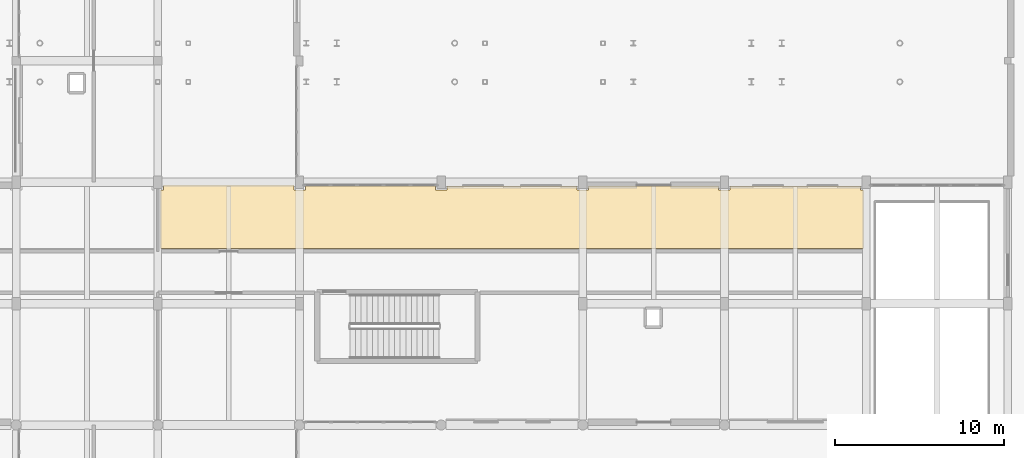
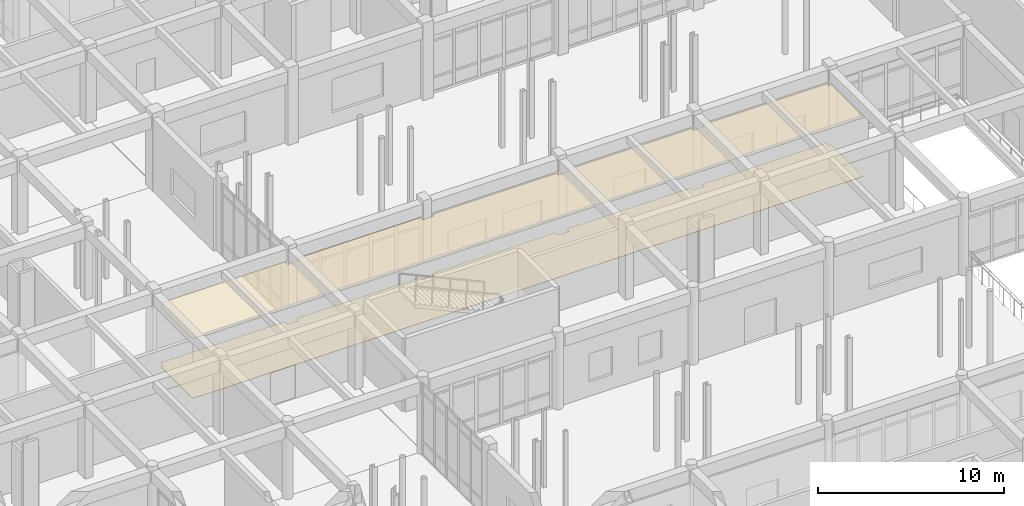
# One storey, part 107 of 121: 2 coverings.
"""IFC4 building model written with IfcOpenShell, lengths in metres."""

from ifc_helpers import new_model, si_unit, direction, frame, origin, place, context, subcontext, project, spatial, polyline, outline, extrude, material, layer, layer_set, type_object, element, save


model = new_model("IFC4")

# Units and contexts
model_context = context("Model", 3, precision=1e-05, world=origin(), true_north=direction((0.0, 1.0)))
body_context = subcontext(model_context, "Body", "Model", "MODEL_VIEW")
ifc_project = project(units=[si_unit("LENGTHUNIT", "METRE"), si_unit("AREAUNIT", "SQUARE_METRE"), si_unit("VOLUMEUNIT", "CUBIC_METRE"), si_unit("PLANEANGLEUNIT", "RADIAN"), si_unit("MASSUNIT", "GRAM", prefix="KILO")], contexts=[model_context])

# Site, building, storey
site_placement = place(None, origin())
site = spatial("IfcSite", under=ifc_project, at=site_placement, CompositionType="ELEMENT")
building_placement = place(site_placement, origin())
building = spatial("IfcBuilding", under=site, at=building_placement, Name="Malvenik Polytechnic", CompositionType="ELEMENT")
storey_placement = place(building_placement, origin())
storey = spatial("IfcBuildingStorey", under=building, at=storey_placement, Name="L00", CompositionType="ELEMENT", Elevation=0.0)

# Coverings
ifc_material_1 = material(Name="Perforated mineral-fibre acoustic suspended ceiling 600x600", Category="gypsum")
ifc_layer_1 = layer(ifc_material_1, 0.02490234375)
ifc_layer_set_1 = layer_set([ifc_layer_1], Name="Perforated mineral-fibre acoustic suspended ceiling 600x600")
covering_type_1 = type_object("IfcCoveringType", Name="ARC-COV-CEIL-AC", PredefinedType="CEILING", material=ifc_layer_set_1)
covering_1_placement = place(storey_placement, frame((0.0, 0.0, 3.93505859375)))
element("IfcCovering", 1, at=covering_1_placement, inside=storey, type_object=covering_type_1, Name="Acoustic Ceiling L00 High-Voltage Switchgear Classroom", PredefinedType="CEILING", context=body_context, shape_type="SweptSolid", body=[
    extrude(outline(polyline([(92.06005859375, 64.3349609375), (92.739990234375, 64.3349609375), (92.739990234375, 64.580078125), (100.4599609375, 64.580078125), (100.4599609375, 64.3349609375), (101.139892578125, 64.3349609375), (101.139892578125, 64.580078125), (108.860107421875, 64.580078125), (108.860107421875, 64.3349609375), (109.5400390625, 64.3349609375), (109.5400390625, 64.580078125), (117.260009765625, 64.580078125), (117.260009765625, 64.3349609375), (117.93994140625, 64.3349609375), (117.93994140625, 64.580078125), (125.659912109375, 64.580078125), (125.659912109375, 64.3349609375), (125.840087890625, 64.3349609375), (125.840087890625, 60.860107421875), (84.159912109375, 60.860107421875), (84.159912109375, 64.3349609375), (84.340087890625, 64.3349609375), (84.340087890625, 64.639892578125), (92.06005859375, 64.639892578125), (92.06005859375, 64.3349609375)])), origin(), (0.0, 0.0, 1.0), 0.02490234375),
])
ifc_material_2 = material(Name="Polished Danube aggregate terrazzo flooring 20mm", Category="stone")
ifc_layer_2 = layer(ifc_material_2, 0.02001953125)
ifc_layer_set_2 = layer_set([ifc_layer_2], Name="Polished Danube aggregate terrazzo flooring 20mm")
covering_type_2 = type_object("IfcCoveringType", Name="ARC-COV-FLR-TER", PredefinedType="FLOORING", material=ifc_layer_set_2)
covering_2_placement = place(storey_placement, origin())
element("IfcCovering", 2, at=covering_2_placement, inside=storey, type_object=covering_type_2, Name="Floor Finish FLR-01 L00 High-Voltage Switchgear Classroom", PredefinedType="FLOORING", context=body_context, shape_type="SweptSolid", body=[
    extrude(outline(polyline([(92.06005859375, 64.3349609375), (92.739990234375, 64.3349609375), (92.739990234375, 64.580078125), (100.4599609375, 64.580078125), (100.4599609375, 64.3349609375), (101.139892578125, 64.3349609375), (101.139892578125, 64.580078125), (108.860107421875, 64.580078125), (108.860107421875, 64.3349609375), (109.5400390625, 64.3349609375), (109.5400390625, 64.580078125), (117.260009765625, 64.580078125), (117.260009765625, 64.3349609375), (117.93994140625, 64.3349609375), (117.93994140625, 64.580078125), (125.659912109375, 64.580078125), (125.659912109375, 64.3349609375), (125.840087890625, 64.3349609375), (125.840087890625, 60.860107421875), (84.159912109375, 60.860107421875), (84.159912109375, 64.3349609375), (84.340087890625, 64.3349609375), (84.340087890625, 64.639892578125), (92.06005859375, 64.639892578125), (92.06005859375, 64.3349609375)])), origin(), (0.0, 0.0, 1.0), 0.02001953125),
])

save(model, "model.ifc")
